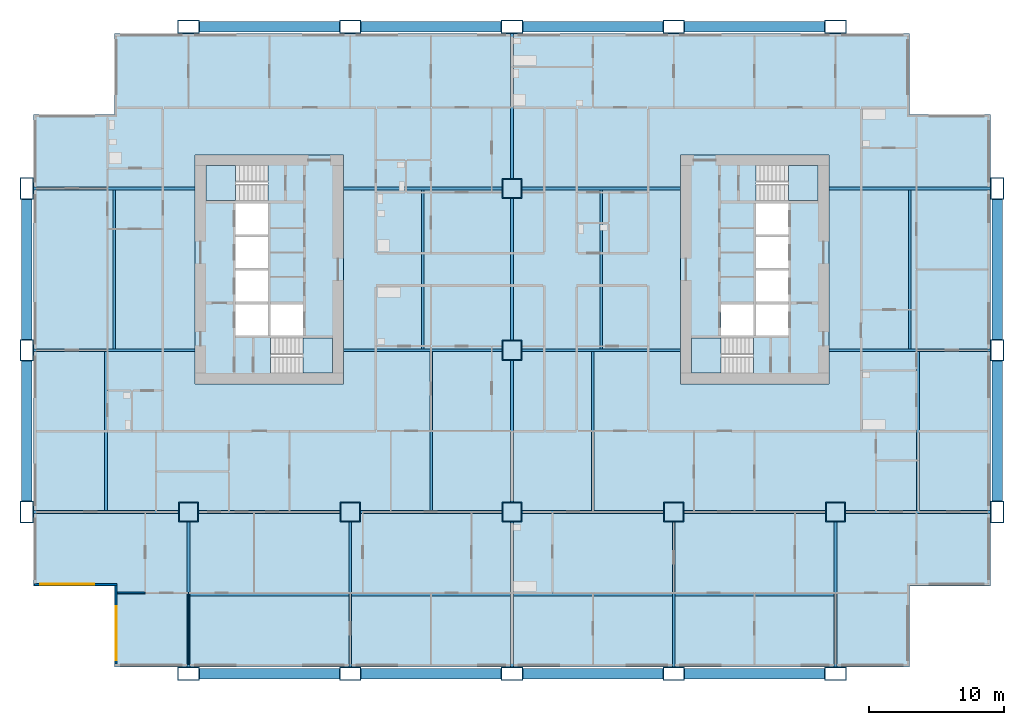
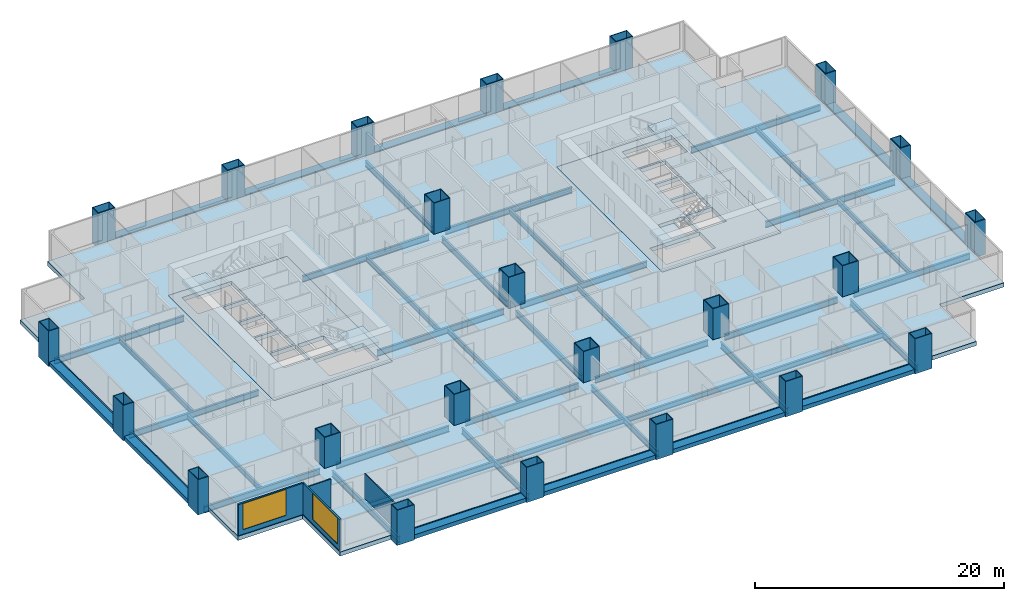
# One storey, part 1 of 13: 46 beams, 23 columns, 7 slabs, 4 walls, 2 windows, 2 openings, 4 elements without a shape of their own.
"""IFC4 building model written with IfcOpenShell, lengths in metres."""

from ifc_helpers import new_model, si_unit, direction, frame, frame_2d, origin, origin_2d, place, context, subcontext, project, spatial, polyline, rectangle, hollow_rectangle, i_section, outline, extrude, material, layer, layer_set, material_profile, profile_set, type_object, element, fill, aggregate, save


model = new_model("IFC4")

# Units and contexts
model_context = context("Model", 3, precision=1e-05, world=origin(), true_north=direction((0.0, 1.0)))
body_context = subcontext(model_context, "Body", "Model", "MODEL_VIEW")
ifc_project = project(units=[si_unit("LENGTHUNIT", "METRE"), si_unit("AREAUNIT", "SQUARE_METRE"), si_unit("VOLUMEUNIT", "CUBIC_METRE"), si_unit("PLANEANGLEUNIT", "RADIAN"), si_unit("MASSUNIT", "GRAM", prefix="KILO")], contexts=[model_context])

# Site, building, storey
site_placement = place(None, origin())
site = spatial("IfcSite", under=ifc_project, at=site_placement, CompositionType="ELEMENT")
building_placement = place(site_placement, origin())
building = spatial("IfcBuilding", under=site, at=building_placement, Name="Kitamizu Gate Tower and Museum", CompositionType="ELEMENT")
storey_placement = place(building_placement, frame((0.0, 0.0, 81.75)))
storey = spatial("IfcBuildingStorey", under=building, at=storey_placement, Name="L20", CompositionType="ELEMENT", Elevation=81.75)

# Columns
ifc_material_1 = material(Name="Steel SM490A bronze coated", Category="steel")
ifc_material_profile_1 = material_profile(ifc_material_1, hollow_rectangle(XDim=1.60009765625, YDim=1.0, WallThickness=0.06494140625, at=origin_2d()), Name="BOX 1600x1000x65")
ifc_profile_set_1 = profile_set([ifc_material_profile_1], Name="Steel SM490A bronze coated")
column_type_1 = type_object("IfcColumnType", Name="Exoskeleton column XC3 BOX 1600x1000x65", PredefinedType="COLUMN", material=ifc_profile_set_1)
for number, where, z_axis, x_axis, name in (
    (1, (0.0, 12.0, -0.39990234375), (0.0, 0.0, 1.0), (0.0, 1.0, 0.0), "Column XC3 1B L20"),
    (2, (0.0, 24.0, -0.39990234375), (0.0, 0.0, 1.0), (0.0, 1.0, 0.0), "Column XC3 1C L20"),
    (3, (0.0, 36.0, -0.39990234375), (0.0, 0.0, 1.0), (0.0, 1.0, 0.0), "Column XC3 1D L20"),
    (4, (12.0, 0.0, -0.39990234375), (0.0, 0.0, 1.0), (1.0, 0.0, 0.0), "Column XC3 2A L20"),
    (5, (12.0, 48.0, -0.39990234375), (0.0, 0.0, 1.0), (1.0, 0.0, 0.0), "Column XC3 2E L20"),
    (6, (24.0, 0.0, -0.39990234375), (0.0, 0.0, 1.0), (1.0, 0.0, 0.0), "Column XC3 3A L20"),
    (7, (24.0, 48.0, -0.39990234375), (0.0, 0.0, 1.0), (1.0, 0.0, 0.0), "Column XC3 3E L20"),
    (8, (36.0, 0.0, -0.39990234375), (0.0, 0.0, 1.0), (1.0, 0.0, 0.0), "Column XC3 4A L20"),
    (9, (36.0, 48.0, -0.39990234375), (0.0, 0.0, 1.0), (1.0, 0.0, 0.0), "Column XC3 4E L20"),
    (10, (48.0, 0.0, -0.39990234375), (0.0, 0.0, 1.0), (1.0, 0.0, 0.0), "Column XC3 5A L20"),
    (11, (48.0, 48.0, -0.39990234375), (0.0, 0.0, 1.0), (1.0, 0.0, 0.0), "Column XC3 5E L20"),
    (12, (60.0, 0.0, -0.39990234375), (0.0, 0.0, 1.0), (1.0, 0.0, 0.0), "Column XC3 6A L20"),
    (13, (60.0, 48.0, -0.39990234375), (0.0, 0.0, 1.0), (1.0, 0.0, 0.0), "Column XC3 6E L20"),
    (14, (72.0, 12.0, -0.39990234375), (0.0, 0.0, 1.0), (0.0, 1.0, 0.0), "Column XC3 7B L20"),
    (15, (72.0, 24.0, -0.39990234375), (0.0, 0.0, 1.0), (0.0, 1.0, 0.0), "Column XC3 7C L20"),
    (16, (72.0, 36.0, -0.39990234375), (0.0, 0.0, 1.0), (0.0, 1.0, 0.0), "Column XC3 7D L20"),
):
    element("IfcColumn", number, at=place(storey_placement, frame(where, z_axis=z_axis, x_axis=x_axis)), inside=storey, type_object=column_type_1, Name=name, PredefinedType="COLUMN", context=body_context, shape_type="SweptSolid", body=[
        extrude(hollow_rectangle(XDim=1.60009765625, YDim=1.0, WallThickness=0.06494140625, at=origin_2d()), origin(), (0.0, 0.0, 1.0), 3.449951171875),
    ])
ifc_material_2 = material(Name="Steel SM490A", Category="steel")
ifc_material_profile_2 = material_profile(ifc_material_2, hollow_rectangle(XDim=1.5, YDim=1.5, WallThickness=0.06494140625, at=origin_2d()), Name="BOX 1500x1500x65")
ifc_profile_set_2 = profile_set([ifc_material_profile_2], Name="Steel SM490A")
column_type_2 = type_object("IfcColumnType", Name="Interior column IC2 BOX 1500x1500x65", PredefinedType="COLUMN", material=ifc_profile_set_2)
for number, where, z_axis, x_axis, name in (
    (17, (12.0, 12.0, 0.0), (0.0, 0.0, 1.0), (1.0, 0.0, 0.0), "Column IC2 2B L20"),
    (18, (24.0, 12.0, 0.0), (0.0, 0.0, 1.0), (1.0, 0.0, 0.0), "Column IC2 3B L20"),
    (19, (36.0, 12.0, 0.0), (0.0, 0.0, 1.0), (1.0, 0.0, 0.0), "Column IC2 4B L20"),
    (20, (36.0, 24.0, 0.0), (0.0, 0.0, 1.0), (1.0, 0.0, 0.0), "Column IC2 4C L20"),
    (21, (36.0, 36.0, 0.0), (0.0, 0.0, 1.0), (1.0, 0.0, 0.0), "Column IC2 4D L20"),
    (22, (48.0, 12.0, 0.0), (0.0, 0.0, 1.0), (1.0, 0.0, 0.0), "Column IC2 5B L20"),
    (23, (60.0, 12.0, 0.0), (0.0, 0.0, 1.0), (1.0, 0.0, 0.0), "Column IC2 6B L20"),
):
    element("IfcColumn", number, at=place(storey_placement, frame(where, z_axis=z_axis, x_axis=x_axis)), inside=storey, type_object=column_type_2, Name=name, PredefinedType="COLUMN", context=body_context, shape_type="SweptSolid", body=[
        extrude(hollow_rectangle(XDim=1.5, YDim=1.5, WallThickness=0.06494140625, at=origin_2d()), origin(), (0.0, 0.0, 1.0), 3.050048828125),
    ])

# Beams
ifc_material_3 = material(Name="Steel SM490A bronze coated", Category="steel")
ifc_material_profile_3 = material_profile(ifc_material_3, hollow_rectangle(XDim=0.800048828125, YDim=0.39990234375, WallThickness=0.0400390625, at=origin_2d()), Name="BOX 800x400x40")
ifc_profile_set_3 = profile_set([ifc_material_profile_3], Name="Steel SM490A bronze coated")
beam_type_1 = type_object("IfcBeamType", Name="Exoskeleton spandrel beam SB1 BOX 800x400x40", PredefinedType="SPANDREL", material=ifc_profile_set_3)
for number, where, z_axis, x_axis, name in (
    (24, (12.800048828125, 0.0, -0.199951171875), (1.0, 0.0, 0.0), (0.0, 1.0, 0.0), "Exoskeleton spandrel beam south 12 L20"),
    (25, (24.800048828125, 0.0, -0.199951171875), (1.0, 0.0, 0.0), (0.0, 1.0, 0.0), "Exoskeleton spandrel beam south 24 L20"),
    (26, (36.800048828125, 0.0, -0.199951171875), (1.0, 0.0, 0.0), (0.0, 1.0, 0.0), "Exoskeleton spandrel beam south 36 L20"),
    (27, (48.800048828125, 0.0, -0.199951171875), (1.0, 0.0, 0.0), (0.0, 1.0, 0.0), "Exoskeleton spandrel beam south 48 L20"),
    (28, (12.800048828125, 48.0, -0.199951171875), (1.0, 0.0, 0.0), (0.0, 1.0, 0.0), "Exoskeleton spandrel beam north 12 L20"),
    (29, (24.800048828125, 48.0, -0.199951171875), (1.0, 0.0, 0.0), (0.0, 1.0, 0.0), "Exoskeleton spandrel beam north 24 L20"),
    (30, (36.800048828125, 48.0, -0.199951171875), (1.0, 0.0, 0.0), (0.0, 1.0, 0.0), "Exoskeleton spandrel beam north 36 L20"),
    (31, (48.800048828125, 48.0, -0.199951171875), (1.0, 0.0, 0.0), (0.0, 1.0, 0.0), "Exoskeleton spandrel beam north 48 L20"),
    (32, (0.0, 12.800048828125, -0.199951171875), (0.0, 1.0, 0.0), (-1.0, 0.0, 0.0), "Exoskeleton spandrel beam west 12 L20"),
    (33, (0.0, 24.800048828125, -0.199951171875), (0.0, 1.0, 0.0), (-1.0, 0.0, 0.0), "Exoskeleton spandrel beam west 24 L20"),
    (34, (72.0, 12.800048828125, -0.199951171875), (0.0, 1.0, 0.0), (-1.0, 0.0, 0.0), "Exoskeleton spandrel beam east 12 L20"),
    (35, (72.0, 24.800048828125, -0.199951171875), (0.0, 1.0, 0.0), (-1.0, 0.0, 0.0), "Exoskeleton spandrel beam east 24 L20"),
):
    element("IfcBeam", number, at=place(storey_placement, frame(where, z_axis=z_axis, x_axis=x_axis)), inside=storey, type_object=beam_type_1, Name=name, PredefinedType="SPANDREL", context=body_context, shape_type="SweptSolid", body=[
        extrude(hollow_rectangle(XDim=0.800048828125, YDim=0.39990234375, WallThickness=0.0400390625, at=origin_2d()), origin(), (0.0, 0.0, 1.0), 10.39990234375),
    ])
ifc_material_4 = material(Name="Steel SM490A", Category="steel")
ifc_material_profile_4 = material_profile(ifc_material_4, i_section(OverallWidth=0.199951171875, OverallDepth=0.5, WebThickness=0.010009765625, FlangeThickness=0.01611328125, FilletRadius=0.02001953125, at=origin_2d()), Name="H-500x200x10x16")
ifc_profile_set_4 = profile_set([ifc_material_profile_4], Name="Steel SM490A")
beam_type_2 = type_object("IfcBeamType", Name="Floor beam FB1 H 500x200x10x16", PredefinedType="BEAM", material=ifc_profile_set_4)
for number, where, z_axis, x_axis, name in (
    (36, (12.10009765625, 5.875, -0.64990234375), (1.0, 0.0, 0.0), (0.0, 1.0, 0.0), "Floor beam FB1 L20-1"),
    (37, (24.10009765625, 5.875, -0.64990234375), (1.0, 0.0, 0.0), (0.0, 1.0, 0.0), "Floor beam FB1 L20-2"),
    (38, (36.10009765625, 5.875, -0.64990234375), (1.0, 0.0, 0.0), (0.0, 1.0, 0.0), "Floor beam FB1 L20-3"),
    (39, (48.10009765625, 5.875, -0.64990234375), (1.0, 0.0, 0.0), (0.0, 1.0, 0.0), "Floor beam FB1 L20-4"),
    (40, (5.875, 12.10009765625, -0.64990234375), (0.0, 1.0, 0.0), (-1.0, 0.0, 0.0), "Floor beam FB1 L20-5"),
    (41, (30.0, 12.10009765625, -0.64990234375), (0.0, 1.0, 0.0), (-1.0, 0.0, 0.0), "Floor beam FB1 L20-6"),
    (42, (42.0, 12.10009765625, -0.64990234375), (0.0, 1.0, 0.0), (-1.0, 0.0, 0.0), "Floor beam FB1 L20-7"),
    (43, (66.125, 12.10009765625, -0.64990234375), (0.0, 1.0, 0.0), (-1.0, 0.0, 0.0), "Floor beam FB1 L20-8"),
    (44, (6.5, 24.10009765625, -0.64990234375), (0.0, 1.0, 0.0), (-1.0, 0.0, 0.0), "Floor beam FB1 L20-9"),
    (45, (29.375, 24.10009765625, -0.64990234375), (0.0, 1.0, 0.0), (-1.0, 0.0, 0.0), "Floor beam FB1 L20-10"),
    (46, (42.625, 24.10009765625, -0.64990234375), (0.0, 1.0, 0.0), (-1.0, 0.0, 0.0), "Floor beam FB1 L20-11"),
    (47, (65.5, 24.10009765625, -0.64990234375), (0.0, 1.0, 0.0), (-1.0, 0.0, 0.0), "Floor beam FB1 L20-12"),
):
    element("IfcBeam", number, at=place(storey_placement, frame(where, z_axis=z_axis, x_axis=x_axis)), inside=storey, type_object=beam_type_2, Name=name, PredefinedType="BEAM", context=body_context, shape_type="SweptSolid", body=[
        extrude(i_section(OverallWidth=0.199951171875, OverallDepth=0.5, WebThickness=0.010009765625, FlangeThickness=0.01611328125, FilletRadius=0.02001953125, at=origin_2d()), origin(), (0.0, 0.0, 1.0), 11.7998046875),
    ])
ifc_material_5 = material(Name="Steel SM490A", Category="steel")
ifc_material_profile_5 = material_profile(ifc_material_5, i_section(OverallWidth=0.199951171875, OverallDepth=0.60009765625, WebThickness=0.010986328125, FlangeThickness=0.01708984375, FilletRadius=0.02197265625, at=origin_2d()), Name="H-600x200x11x17")
ifc_profile_set_5 = profile_set([ifc_material_profile_5], Name="Steel SM490A")
beam_type_3 = type_object("IfcBeamType", Name="Floor girder FG1 H 600x200x11x17", PredefinedType="BEAM", material=ifc_profile_set_5)
for number, where, z_axis, x_axis, name in (
    (48, (12.0, 0.5, -0.699951171875), (0.0, 1.0, 0.0), (-1.0, 0.0, 0.0), "Floor girder FG1 x12 L20"),
    (49, (24.0, 0.5, -0.699951171875), (0.0, 1.0, 0.0), (-1.0, 0.0, 0.0), "Floor girder FG1 x24 L20"),
    (50, (36.0, 0.5, -0.699951171875), (0.0, 1.0, 0.0), (-1.0, 0.0, 0.0), "Floor girder FG1 x36 L20"),
):
    element("IfcBeam", number, at=place(storey_placement, frame(where, z_axis=z_axis, x_axis=x_axis)), inside=storey, type_object=beam_type_3, Name=name, PredefinedType="BEAM", context=body_context, shape_type="SweptSolid", body=[
        extrude(i_section(OverallWidth=0.199951171875, OverallDepth=0.60009765625, WebThickness=0.010986328125, FlangeThickness=0.01708984375, FilletRadius=0.02197265625, at=origin_2d()), origin(), (0.0, 0.0, 1.0), 10.75),
    ])
for number, where, z_axis, x_axis, name in (
    (51, (36.0, 12.75, -0.699951171875), (0.0, 1.0, 0.0), (-1.0, 0.0, 0.0), "Floor girder FG1 x36 L20"),
    (52, (36.0, 24.75, -0.699951171875), (0.0, 1.0, 0.0), (-1.0, 0.0, 0.0), "Floor girder FG1 x36 L20"),
):
    element("IfcBeam", number, at=place(storey_placement, frame(where, z_axis=z_axis, x_axis=x_axis)), inside=storey, type_object=beam_type_3, Name=name, PredefinedType="BEAM", context=body_context, shape_type="SweptSolid", body=[
        extrude(i_section(OverallWidth=0.199951171875, OverallDepth=0.60009765625, WebThickness=0.010986328125, FlangeThickness=0.01708984375, FilletRadius=0.02197265625, at=origin_2d()), origin(), (0.0, 0.0, 1.0), 10.5),
    ])
for number, where, z_axis, x_axis, name in (
    (53, (36.0, 36.75, -0.699951171875), (0.0, 1.0, 0.0), (-1.0, 0.0, 0.0), "Floor girder FG1 x36 L20"),
    (54, (48.0, 0.5, -0.699951171875), (0.0, 1.0, 0.0), (-1.0, 0.0, 0.0), "Floor girder FG1 x48 L20"),
    (55, (60.0, 0.5, -0.699951171875), (0.0, 1.0, 0.0), (-1.0, 0.0, 0.0), "Floor girder FG1 x60 L20"),
    (56, (0.5, 12.0, -0.699951171875), (1.0, 0.0, 0.0), (0.0, 1.0, 0.0), "Floor girder FG1 y12 L20"),
):
    element("IfcBeam", number, at=place(storey_placement, frame(where, z_axis=z_axis, x_axis=x_axis)), inside=storey, type_object=beam_type_3, Name=name, PredefinedType="BEAM", context=body_context, shape_type="SweptSolid", body=[
        extrude(i_section(OverallWidth=0.199951171875, OverallDepth=0.60009765625, WebThickness=0.010986328125, FlangeThickness=0.01708984375, FilletRadius=0.02197265625, at=origin_2d()), origin(), (0.0, 0.0, 1.0), 10.75),
    ])
for number, where, z_axis, x_axis, name in (
    (57, (12.75, 12.0, -0.699951171875), (1.0, 0.0, 0.0), (0.0, 1.0, 0.0), "Floor girder FG1 y12 L20"),
    (58, (24.75, 12.0, -0.699951171875), (1.0, 0.0, 0.0), (0.0, 1.0, 0.0), "Floor girder FG1 y12 L20"),
    (59, (36.75, 12.0, -0.699951171875), (1.0, 0.0, 0.0), (0.0, 1.0, 0.0), "Floor girder FG1 y12 L20"),
    (60, (48.75, 12.0, -0.699951171875), (1.0, 0.0, 0.0), (0.0, 1.0, 0.0), "Floor girder FG1 y12 L20"),
):
    element("IfcBeam", number, at=place(storey_placement, frame(where, z_axis=z_axis, x_axis=x_axis)), inside=storey, type_object=beam_type_3, Name=name, PredefinedType="BEAM", context=body_context, shape_type="SweptSolid", body=[
        extrude(i_section(OverallWidth=0.199951171875, OverallDepth=0.60009765625, WebThickness=0.010986328125, FlangeThickness=0.01708984375, FilletRadius=0.02197265625, at=origin_2d()), origin(), (0.0, 0.0, 1.0), 10.5),
    ])
beam_1_placement = place(storey_placement, frame((60.75, 12.0, -0.699951171875), z_axis=(1.0, 0.0, 0.0), x_axis=(0.0, 1.0, 0.0)))
element("IfcBeam", 61, at=beam_1_placement, inside=storey, type_object=beam_type_3, Name="Floor girder FG1 y12 L20", PredefinedType="BEAM", context=body_context, shape_type="SweptSolid", body=[
    extrude(i_section(OverallWidth=0.199951171875, OverallDepth=0.60009765625, WebThickness=0.010986328125, FlangeThickness=0.01708984375, FilletRadius=0.02197265625, at=origin_2d()), origin(), (0.0, 0.0, 1.0), 10.75),
])
beam_2_placement = place(storey_placement, frame((0.5, 24.0, -0.699951171875), z_axis=(1.0, 0.0, 0.0), x_axis=(0.0, 1.0, 0.0)))
element("IfcBeam", 62, at=beam_2_placement, inside=storey, type_object=beam_type_3, Name="Floor girder FG1 y24 L20", PredefinedType="BEAM", context=body_context, shape_type="SweptSolid", body=[
    extrude(i_section(OverallWidth=0.199951171875, OverallDepth=0.60009765625, WebThickness=0.010986328125, FlangeThickness=0.01708984375, FilletRadius=0.02197265625, at=origin_2d()), origin(), (0.0, 0.0, 1.0), 12.0),
])
for number, where, z_axis, x_axis, name in (
    (63, (23.5, 24.0, -0.699951171875), (1.0, 0.0, 0.0), (0.0, 1.0, 0.0), "Floor girder FG1 y24 L20"),
    (64, (36.75, 24.0, -0.699951171875), (1.0, 0.0, 0.0), (0.0, 1.0, 0.0), "Floor girder FG1 y24 L20"),
):
    element("IfcBeam", number, at=place(storey_placement, frame(where, z_axis=z_axis, x_axis=x_axis)), inside=storey, type_object=beam_type_3, Name=name, PredefinedType="BEAM", context=body_context, shape_type="SweptSolid", body=[
        extrude(i_section(OverallWidth=0.199951171875, OverallDepth=0.60009765625, WebThickness=0.010986328125, FlangeThickness=0.01708984375, FilletRadius=0.02197265625, at=origin_2d()), origin(), (0.0, 0.0, 1.0), 11.75),
    ])
for number, where, z_axis, x_axis, name in (
    (65, (59.5, 24.0, -0.699951171875), (1.0, 0.0, 0.0), (0.0, 1.0, 0.0), "Floor girder FG1 y24 L20"),
    (66, (0.5, 36.0, -0.699951171875), (1.0, 0.0, 0.0), (0.0, 1.0, 0.0), "Floor girder FG1 y36 L20"),
):
    element("IfcBeam", number, at=place(storey_placement, frame(where, z_axis=z_axis, x_axis=x_axis)), inside=storey, type_object=beam_type_3, Name=name, PredefinedType="BEAM", context=body_context, shape_type="SweptSolid", body=[
        extrude(i_section(OverallWidth=0.199951171875, OverallDepth=0.60009765625, WebThickness=0.010986328125, FlangeThickness=0.01708984375, FilletRadius=0.02197265625, at=origin_2d()), origin(), (0.0, 0.0, 1.0), 12.0),
    ])
for number, where, z_axis, x_axis, name in (
    (67, (23.5, 36.0, -0.699951171875), (1.0, 0.0, 0.0), (0.0, 1.0, 0.0), "Floor girder FG1 y36 L20"),
    (68, (36.75, 36.0, -0.699951171875), (1.0, 0.0, 0.0), (0.0, 1.0, 0.0), "Floor girder FG1 y36 L20"),
):
    element("IfcBeam", number, at=place(storey_placement, frame(where, z_axis=z_axis, x_axis=x_axis)), inside=storey, type_object=beam_type_3, Name=name, PredefinedType="BEAM", context=body_context, shape_type="SweptSolid", body=[
        extrude(i_section(OverallWidth=0.199951171875, OverallDepth=0.60009765625, WebThickness=0.010986328125, FlangeThickness=0.01708984375, FilletRadius=0.02197265625, at=origin_2d()), origin(), (0.0, 0.0, 1.0), 11.75),
    ])
beam_3_placement = place(storey_placement, frame((59.5, 36.0, -0.699951171875), z_axis=(1.0, 0.0, 0.0), x_axis=(0.0, 1.0, 0.0)))
element("IfcBeam", 69, at=beam_3_placement, inside=storey, type_object=beam_type_3, Name="Floor girder FG1 y36 L20", PredefinedType="BEAM", context=body_context, shape_type="SweptSolid", body=[
    extrude(i_section(OverallWidth=0.199951171875, OverallDepth=0.60009765625, WebThickness=0.010986328125, FlangeThickness=0.01708984375, FilletRadius=0.02197265625, at=origin_2d()), origin(), (0.0, 0.0, 1.0), 12.0),
])

# Slabs
ifc_material_6 = material(Name="Concrete Fc36", Category="concrete")
ifc_layer_1 = layer(ifc_material_6, 0.39990234375)
ifc_layer_set_1 = layer_set([ifc_layer_1], Name="Concrete Fc36")
slab_type_1 = type_object("IfcSlabType", Name="Core floor slab 400", PredefinedType="FLOOR", material=ifc_layer_set_1)
slab_1_placement = place(storey_placement, frame((0.0, 0.0, -0.39990234375)))
element("IfcSlab", 70, at=slab_1_placement, inside=storey, type_object=slab_type_1, Name="Core floor slab W", PredefinedType="FLOOR", context=body_context, shape_type="SweptSolid", body=[
    extrude(outline(polyline([(12.5, 21.5), (23.5, 21.5), (23.5, 38.5), (12.5, 38.5), (12.5, 21.5)]), holes=[polyline([(15.5, 25.10009765625), (17.89990234375, 25.10009765625), (17.89990234375, 27.39990234375), (15.5, 27.39990234375), (15.5, 25.10009765625)]), polyline([(15.5, 27.60009765625), (17.89990234375, 27.60009765625), (17.89990234375, 29.89990234375), (15.5, 29.89990234375), (15.5, 27.60009765625)]), polyline([(15.5, 30.10009765625), (17.89990234375, 30.10009765625), (17.89990234375, 32.39990234375), (15.5, 32.39990234375), (15.5, 30.10009765625)]), polyline([(15.5, 32.60009765625), (17.89990234375, 32.60009765625), (17.89990234375, 34.89990234375), (15.5, 34.89990234375), (15.5, 32.60009765625)]), polyline([(18.10009765625, 25.10009765625), (20.5, 25.10009765625), (20.5, 27.39990234375), (18.10009765625, 27.39990234375), (18.10009765625, 25.10009765625)]), polyline([(18.1005859375, 22.300048828125), (22.699951171875, 22.300048828125), (22.699951171875, 24.89990234375), (18.1005859375, 24.89990234375), (18.1005859375, 22.300048828125)]), polyline([(13.300048828125, 35.10009765625), (17.8994140625, 35.10009765625), (17.8994140625, 37.699951171875), (13.300048828125, 37.699951171875), (13.300048828125, 35.10009765625)])]), origin(), (0.0, 0.0, 1.0), 0.39990234375),
])
slab_2_placement = place(storey_placement, frame((0.0, 0.0, -0.39990234375)))
element("IfcSlab", 71, at=slab_2_placement, inside=storey, type_object=slab_type_1, Name="Core floor slab E", PredefinedType="FLOOR", context=body_context, shape_type="SweptSolid", body=[
    extrude(outline(polyline([(48.5, 21.5), (59.5, 21.5), (59.5, 38.5), (48.5, 38.5), (48.5, 21.5)]), holes=[polyline([(54.10009765625, 25.10009765625), (56.5, 25.10009765625), (56.5, 27.39990234375), (54.10009765625, 27.39990234375), (54.10009765625, 25.10009765625)]), polyline([(54.10009765625, 27.60009765625), (56.5, 27.60009765625), (56.5, 29.89990234375), (54.10009765625, 29.89990234375), (54.10009765625, 27.60009765625)]), polyline([(54.10009765625, 30.10009765625), (56.5, 30.10009765625), (56.5, 32.39990234375), (54.10009765625, 32.39990234375), (54.10009765625, 30.10009765625)]), polyline([(54.10009765625, 32.60009765625), (56.5, 32.60009765625), (56.5, 34.89990234375), (54.10009765625, 34.89990234375), (54.10009765625, 32.60009765625)]), polyline([(51.5, 25.10009765625), (53.89990234375, 25.10009765625), (53.89990234375, 27.39990234375), (51.5, 27.39990234375), (51.5, 25.10009765625)]), polyline([(49.300048828125, 22.300048828125), (53.8994140625, 22.300048828125), (53.8994140625, 24.89990234375), (49.300048828125, 24.89990234375), (49.300048828125, 22.300048828125)]), polyline([(54.1005859375, 35.10009765625), (58.699951171875, 35.10009765625), (58.699951171875, 37.699951171875), (54.1005859375, 37.699951171875), (54.1005859375, 35.10009765625)])]), origin(), (0.0, 0.0, 1.0), 0.39990234375),
])
ifc_material_7 = material(Name="Concrete Fc36", Category="concrete")
ifc_layer_2 = layer(ifc_material_7, 0.39990234375)
ifc_layer_set_2 = layer_set([ifc_layer_2], Name="Concrete Fc36")
slab_type_2 = type_object("IfcSlabType", Name="Post tensioned flat slab 400", PredefinedType="FLOOR", material=ifc_layer_set_2)
slab_3_placement = place(storey_placement, frame((0.0, 0.0, -0.39990234375)))
element("IfcSlab", 72, at=slab_3_placement, inside=storey, type_object=slab_type_2, Name="Floor slab L20-1", PredefinedType="FLOOR", context=body_context, shape_type="SweptSolid", body=[
    extrude(outline(polyline([(0.5, 6.5), (0.5, 41.5), (6.5, 41.5), (6.5, 47.5), (65.5, 47.5), (65.5, 41.5), (71.5, 41.5), (71.5, 6.5), (65.5, 6.5), (65.5, 0.5), (6.5, 0.5), (6.5, 6.5), (0.5, 6.5)]), holes=[polyline([(59.5, 38.5), (48.5, 38.5), (48.5, 21.5), (59.5, 21.5), (59.5, 38.5)]), polyline([(12.5, 38.5), (12.5, 21.5), (23.5, 21.5), (23.5, 38.5), (12.5, 38.5)])]), origin(), (0.0, 0.0, 1.0), 0.39990234375),
])

# Stair, slab
ifc_material_8 = material(Name="Concrete Fc42", Category="concrete")
stair_type = type_object("IfcStairType", Name="Exit stair 1200 wide 192 rise 300 going", PredefinedType="HALF_TURN_STAIR", material=ifc_material_8)
stair_1_placement = place(storey_placement, origin())
stair_1 = element("IfcStair", 73, at=stair_1_placement, inside=storey, type_object=stair_type, Name="Exit stair ST1", PredefinedType="HALF_TURN_STAIR")
ifc_material_9 = material(Name="Concrete Fc42", Category="concrete")
ifc_layer_3 = layer(ifc_material_9, 0.300048828125)
ifc_layer_set_3 = layer_set([ifc_layer_3], Name="Concrete Fc42")
slab_type_3 = type_object("IfcSlabType", Name="Stair landing 300", PredefinedType="LANDING", material=ifc_layer_set_3)
slab_4_placement = place(storey_placement, frame((0.0, 0.0, 1.425048828125)))
slab_4 = element("IfcSlab", 74, at=slab_4_placement, type_object=slab_type_3, Name="ST1 landing 1", PredefinedType="LANDING", context=body_context, shape_type="SweptSolid", body=[
    extrude(outline(polyline([(20.5, 22.300048828125), (22.699951171875, 22.300048828125), (22.699951171875, 24.89990234375), (20.5, 24.89990234375), (20.5, 22.300048828125)])), origin(), (0.0, 0.0, 1.0), 0.300048828125),
])
aggregate(stair_1, [slab_4])

stair_2_placement = place(storey_placement, origin())
stair_2 = element("IfcStair", 75, at=stair_2_placement, inside=storey, type_object=stair_type, Name="Exit stair ST2", PredefinedType="HALF_TURN_STAIR")
slab_5_placement = place(storey_placement, frame((0.0, 0.0, 1.425048828125)))
slab_5 = element("IfcSlab", 76, at=slab_5_placement, type_object=slab_type_3, Name="ST2 landing 1", PredefinedType="LANDING", context=body_context, shape_type="SweptSolid", body=[
    extrude(outline(polyline([(13.300048828125, 35.10009765625), (15.5, 35.10009765625), (15.5, 37.699951171875), (13.300048828125, 37.699951171875), (13.300048828125, 35.10009765625)])), origin(), (0.0, 0.0, 1.0), 0.300048828125),
])
aggregate(stair_2, [slab_5])

stair_3_placement = place(storey_placement, origin())
stair_3 = element("IfcStair", 77, at=stair_3_placement, inside=storey, type_object=stair_type, Name="Exit stair ST3", PredefinedType="HALF_TURN_STAIR")
slab_6_placement = place(storey_placement, frame((0.0, 0.0, 1.425048828125)))
slab_6 = element("IfcSlab", 78, at=slab_6_placement, type_object=slab_type_3, Name="ST3 landing 1", PredefinedType="LANDING", context=body_context, shape_type="SweptSolid", body=[
    extrude(outline(polyline([(49.300048828125, 22.300048828125), (51.5, 22.300048828125), (51.5, 24.89990234375), (49.300048828125, 24.89990234375), (49.300048828125, 22.300048828125)])), origin(), (0.0, 0.0, 1.0), 0.300048828125),
])
aggregate(stair_3, [slab_6])

stair_4_placement = place(storey_placement, origin())
stair_4 = element("IfcStair", 79, at=stair_4_placement, inside=storey, type_object=stair_type, Name="Exit stair ST4", PredefinedType="HALF_TURN_STAIR")
slab_7_placement = place(storey_placement, frame((0.0, 0.0, 1.425048828125)))
slab_7 = element("IfcSlab", 80, at=slab_7_placement, type_object=slab_type_3, Name="ST4 landing 1", PredefinedType="LANDING", context=body_context, shape_type="SweptSolid", body=[
    extrude(outline(polyline([(56.5, 35.10009765625), (58.699951171875, 35.10009765625), (58.699951171875, 37.699951171875), (56.5, 37.699951171875), (56.5, 35.10009765625)])), origin(), (0.0, 0.0, 1.0), 0.300048828125),
])
aggregate(stair_4, [slab_7])

# Walls
ifc_material_10 = material(Name="Gypsum board on galvanised stud")
ifc_layer_4 = layer(ifc_material_10, 0.10009765625)
ifc_layer_set_4 = layer_set([ifc_layer_4], Name="Gypsum board on galvanised stud")
wall_type_1 = type_object("IfcWallType", Name="Partition 100 NOT RATED", PredefinedType="PARTITIONING", material=ifc_layer_set_4)
wall_1_placement = place(storey_placement, frame((12.0, 0.719970703125, 0.0), z_axis=(0.0, 0.0, 1.0), x_axis=(0.0, 1.0, 0.0)))
element("IfcWall", 81, at=wall_1_placement, inside=storey, type_object=wall_type_1, Name="Partition L20-001", PredefinedType="PARTITIONING", context=body_context, shape_type="SweptSolid", body=[
    extrude(rectangle(XDim=5.280029296875, YDim=0.10009765625, at=frame_2d((2.64013671875, 0.0))), origin(), (0.0, 0.0, 1.0), 2.449951171875),
])
wall_2_placement = place(storey_placement, frame((8.7900390625, 6.0, 0.0), z_axis=(0.0, 0.0, 1.0), x_axis=(-1.0, 0.0, 0.0)))
element("IfcWall", 82, at=wall_2_placement, inside=storey, type_object=wall_type_1, Name="Partition L20-002", PredefinedType="PARTITIONING", context=body_context, shape_type="SweptSolid", body=[
    extrude(rectangle(XDim=2.070068359375, YDim=0.10009765625, at=frame_2d((1.03515625, 0.0))), origin(), (0.0, 0.0, 1.0), 3.050048828125),
])

# Wall, opening, window
ifc_material_11 = material(Name="Bronze anodised aluminium frame with insulated spandrel and tinted glass", Category="aluminium")
ifc_layer_5 = layer(ifc_material_11, 0.14990234375)
ifc_layer_set_5 = layer_set([ifc_layer_5], Name="Bronze anodised aluminium frame with insulated spandrel and tinted glass")
wall_type_2 = type_object("IfcWallType", Name="WINDOW WALL 150 BRONZE FRAME EI 30", PredefinedType="ELEMENTEDWALL", material=ifc_layer_set_5)
wall_3_placement = place(storey_placement, frame((0.56005859375, 6.635009765625, 0.0), z_axis=(0.0, 0.0, 1.0), x_axis=(1.0, 0.0, 0.0)))
wall_3 = element("IfcWall", 83, at=wall_3_placement, inside=storey, type_object=wall_type_2, Name="Window wall south L20", PredefinedType="ELEMENTEDWALL", context=body_context, shape_type="SweptSolid", body=[
    extrude(rectangle(XDim=6.14990234375, YDim=0.14990234375, at=frame_2d((3.074951171875, 0.0))), origin(), (0.0, 0.0, 1.0), 3.050048828125),
])
opening_1_placement = place(wall_3_placement, frame((0.43994140625, 0.0, 0.449951171875)))
opening_1 = element("IfcOpeningElement", 84, at=opening_1_placement, cuts=wall_3, Name="Opening W16", PredefinedType="OPENING", context=body_context, shape_type="SweptSolid", body=[
    extrude(rectangle(XDim=4.0, YDim=2.550048828125, at=frame_2d((2.0, 1.27490234375))), frame((0.0, 0.0849609375, 0.0), z_axis=(0.0, -1.0, 0.0), x_axis=(1.0, 0.0, 0.0)), (0.0, 0.0, 1.0), 0.169921875),
])
ifc_material_12 = material(Name="Bronze anodised aluminium frame, tinted triple glazing", Category="aluminium")
window_type = type_object("IfcWindowType", Name="WINDOW 4000 x 2550 SILL 450", PartitioningType="SINGLE_PANEL", PredefinedType="WINDOW", material=ifc_material_12)
window_1_placement = place(opening_1_placement, origin())
window_1 = element("IfcWindow", 85, at=window_1_placement, inside=storey, type_object=window_type, Name="Window W16 L20", OverallHeight=2.550048828125, OverallWidth=4.0, PartitioningType="SINGLE_PANEL", PredefinedType="WINDOW", context=body_context, shape_type="SweptSolid", body=[
    extrude(rectangle(XDim=4.0, YDim=2.550048828125, at=frame_2d((2.0, 1.27490234375))), frame((0.0, 0.030029296875, 0.0), z_axis=(0.0, -1.0, 0.0), x_axis=(1.0, 0.0, 0.0)), (0.0, 0.0, 1.0), 0.06005859375),
])
fill(opening_1, window_1)

wall_4_placement = place(storey_placement, frame((6.635009765625, 0.7099609375, 0.0), z_axis=(0.0, 0.0, 1.0), x_axis=(0.0, 1.0, 0.0)))
wall_4 = element("IfcWall", 86, at=wall_4_placement, inside=storey, type_object=wall_type_2, Name="Window wall west L20", PredefinedType="ELEMENTEDWALL", context=body_context, shape_type="SweptSolid", body=[
    extrude(rectangle(XDim=5.85009765625, YDim=0.14990234375, at=frame_2d((2.925048828125, 0.0))), origin(), (0.0, 0.0, 1.0), 3.050048828125),
])
opening_2_placement = place(wall_4_placement, frame((0.2900390625, 0.0, 0.449951171875)))
opening_2 = element("IfcOpeningElement", 87, at=opening_2_placement, cuts=wall_4, Name="Opening W16", PredefinedType="OPENING", context=body_context, shape_type="SweptSolid", body=[
    extrude(rectangle(XDim=4.0, YDim=2.550048828125, at=frame_2d((2.0, 1.27490234375))), frame((0.0, 0.0849609375, 0.0), z_axis=(0.0, -1.0, 0.0), x_axis=(1.0, 0.0, 0.0)), (0.0, 0.0, 1.0), 0.169921875),
])
window_2_placement = place(opening_2_placement, origin())
window_2 = element("IfcWindow", 88, at=window_2_placement, inside=storey, type_object=window_type, Name="Window W16 L20", OverallHeight=2.550048828125, OverallWidth=4.0, PartitioningType="SINGLE_PANEL", PredefinedType="WINDOW", context=body_context, shape_type="SweptSolid", body=[
    extrude(rectangle(XDim=4.0, YDim=2.550048828125, at=frame_2d((2.0, 1.27490234375))), frame((0.0, 0.030029296875, 0.0), z_axis=(0.0, -1.0, 0.0), x_axis=(1.0, 0.0, 0.0)), (0.0, 0.0, 1.0), 0.06005859375),
])
fill(opening_2, window_2)

save(model, "model.ifc")
